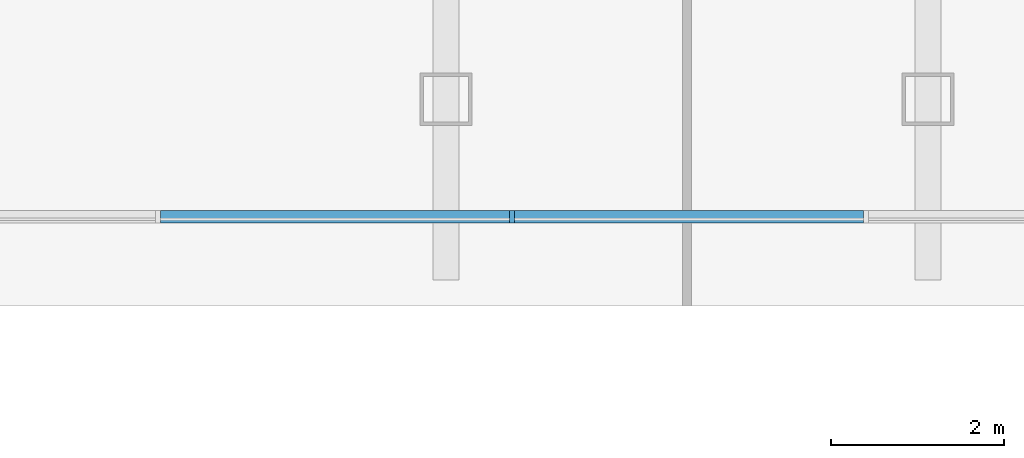
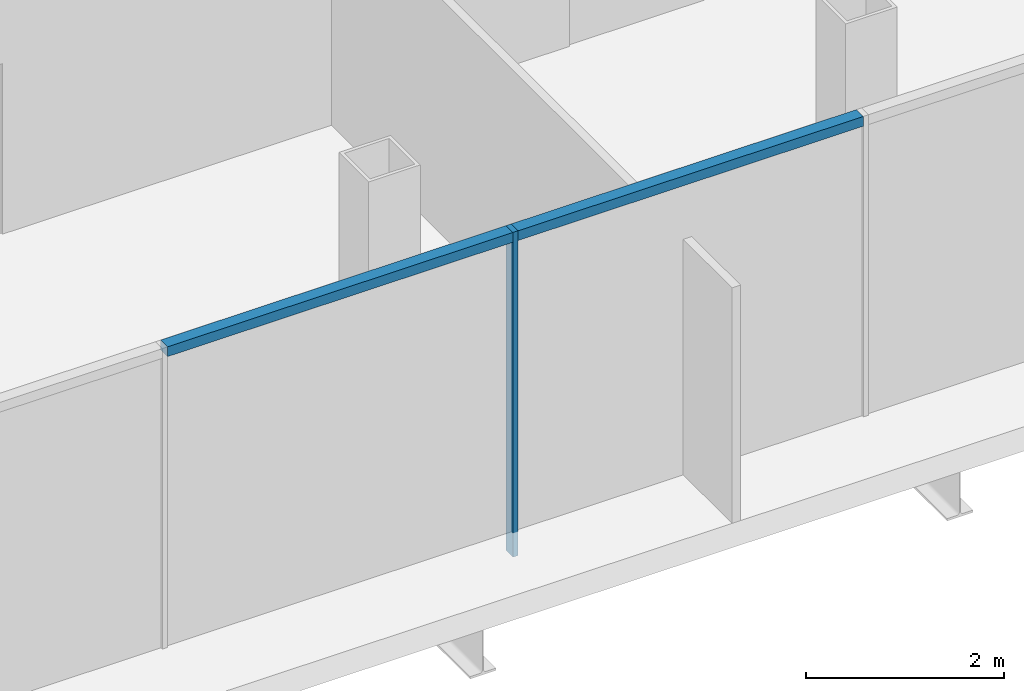
# One storey, part 7 of 26: 3 members, 1 element without a shape of its own.
"""IFC4 building model written with IfcOpenShell, lengths in metres."""

from ifc_helpers import new_model, si_unit, direction, frame, origin, origin_2d, place, context, subcontext, project, spatial, rectangle, extrude, material, material_profile, profile_set, type_object, element, aggregate, save


model = new_model("IFC4")

# Units and contexts
model_context = context("Model", 3, precision=1e-05, world=origin(), true_north=direction((0.0, 1.0)))
body_context = subcontext(model_context, "Body", "Model", "MODEL_VIEW")
ifc_project = project(units=[si_unit("LENGTHUNIT", "METRE"), si_unit("AREAUNIT", "SQUARE_METRE"), si_unit("VOLUMEUNIT", "CUBIC_METRE"), si_unit("PLANEANGLEUNIT", "RADIAN"), si_unit("MASSUNIT", "GRAM", prefix="KILO")], contexts=[model_context])

# Site, building, storey
site_placement = place(None, origin())
site = spatial("IfcSite", under=ifc_project, at=site_placement, CompositionType="ELEMENT")
building_placement = place(site_placement, origin())
building = spatial("IfcBuilding", under=site, at=building_placement, Name="Ogive Gate Towers", CompositionType="ELEMENT")
storey_placement = place(building_placement, frame((0.0, 0.0, 148.800048828125)))
storey = spatial("IfcBuildingStorey", under=building, at=storey_placement, Name="L35", CompositionType="ELEMENT", Elevation=148.800048828125)

# Curtain wall, members
ifc_material = material(Name="Pale metal aluminium", Category="aluminium")
curtain_wall_type = type_object("IfcCurtainWallType", Name="Gate block facade", PredefinedType="NOTDEFINED", material=ifc_material)
curtain_wall_placement = place(storey_placement, origin())
curtain_wall = element("IfcCurtainWall", 1, at=curtain_wall_placement, inside=storey, type_object=curtain_wall_type, Name="CW3 BR ECW01", PredefinedType="NOTDEFINED")
ifc_material_profile_1 = material_profile(ifc_material, rectangle(XDim=0.139892578125, YDim=0.06005859375, at=origin_2d()), Name="60 x 140 aluminium box")
ifc_profile_set_1 = profile_set([ifc_material_profile_1], Name="Pale metal aluminium")
member_type_1 = type_object("IfcMemberType", Name="Gate block facade mullion 60 x 140", PredefinedType="MULLION", material=ifc_profile_set_1)
member_1_placement = place(storey_placement, frame((2.04150390625, -7.85595703125, -0.300048828125), z_axis=(0.0, 0.0, 1.0), x_axis=(0.0, -1.0, 0.0)))
member_1 = element("IfcMember", 2, at=member_1_placement, type_object=member_type_1, Name="CW3 mullion", PredefinedType="MULLION", context=body_context, shape_type="SweptSolid", body=[
    extrude(rectangle(XDim=0.139892578125, YDim=0.06005859375, at=origin_2d()), origin(), (0.0, 0.0, 1.0), 4.0),
])
ifc_material_profile_2 = material_profile(ifc_material, rectangle(XDim=0.139892578125, YDim=0.1201171875, at=origin_2d()), Name="120 x 140 aluminium box")
ifc_profile_set_2 = profile_set([ifc_material_profile_2], Name="Pale metal aluminium")
member_type_2 = type_object("IfcMemberType", Name="Gate block facade transom 120 x 140", PredefinedType="USERDEFINED", material=ifc_profile_set_2)
member_2_placement = place(storey_placement, frame((-2.01171875, -7.85595703125, 3.639892578125), z_axis=(1.0, 0.0, 0.0), x_axis=(0.0, 1.0, 0.0)))
member_2 = element("IfcMember", 3, at=member_2_placement, type_object=member_type_2, Name="CW3 transom", ObjectType="TRANSOM", PredefinedType="USERDEFINED", context=body_context, shape_type="SweptSolid", body=[
    extrude(rectangle(XDim=0.139892578125, YDim=0.1201171875, at=origin_2d()), origin(), (0.0, 0.0, 1.0), 4.0234375),
])
member_3_placement = place(storey_placement, frame((2.071533203125, -7.85595703125, 3.639892578125), z_axis=(1.0, 0.0, 0.0), x_axis=(0.0, 1.0, 0.0)))
member_3 = element("IfcMember", 4, at=member_3_placement, type_object=member_type_2, Name="CW3 transom", ObjectType="TRANSOM", PredefinedType="USERDEFINED", context=body_context, shape_type="SweptSolid", body=[
    extrude(rectangle(XDim=0.139892578125, YDim=0.1201171875, at=origin_2d()), origin(), (0.0, 0.0, 1.0), 4.0234375),
])
aggregate(curtain_wall, [member_1, member_2, member_3])

save(model, "model.ifc")
